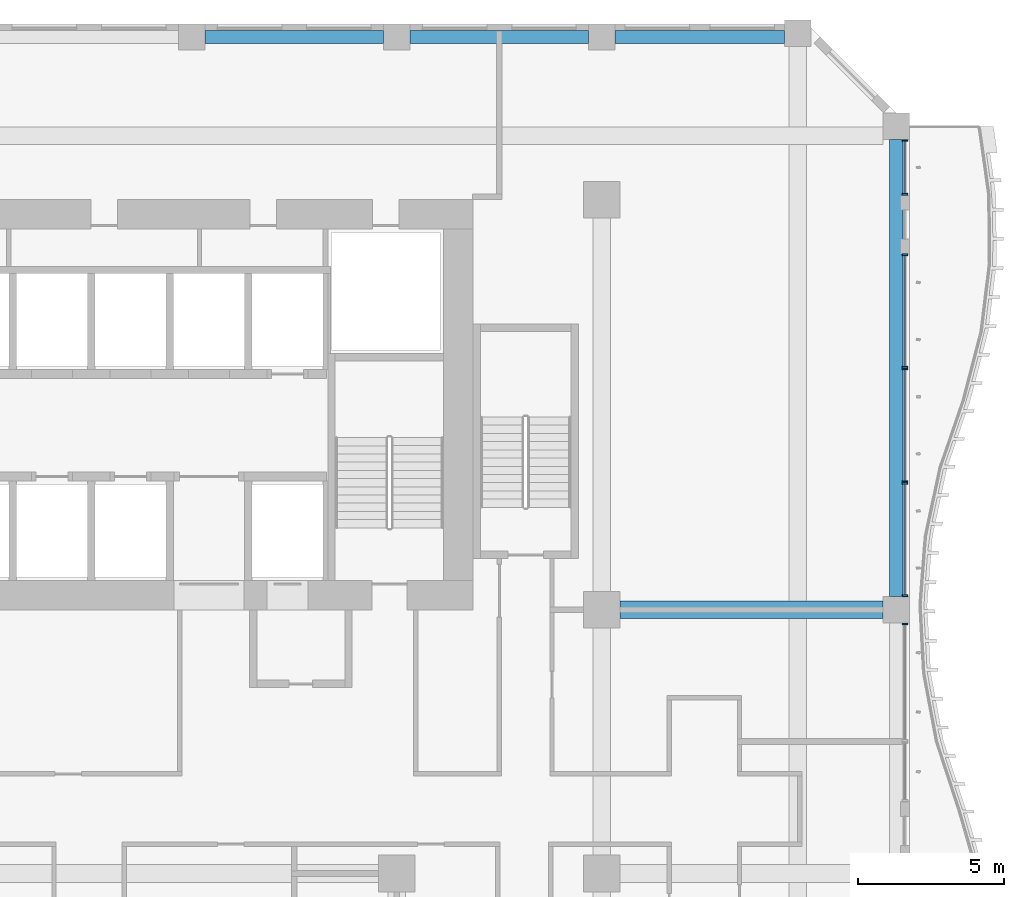
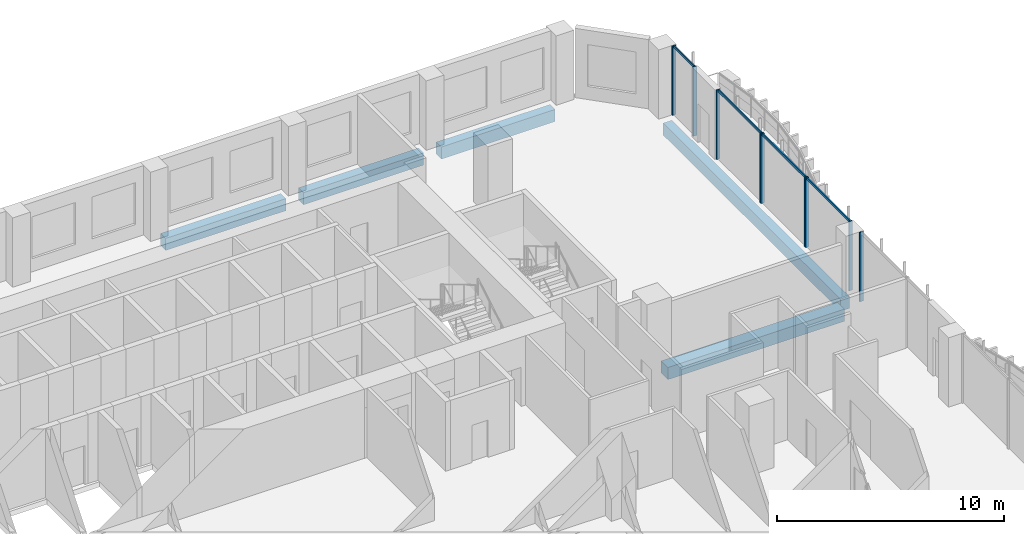
# One storey, part 10 of 28: 13 members, 5 beams, 5 elements without a shape of their own.
"""IFC4 building model written with IfcOpenShell, lengths in metres."""

from ifc_helpers import new_model, si_unit, direction, frame, origin, origin_2d, place, context, subcontext, project, spatial, rectangle, extrude, source, transform, mapped, material, material_profile, profile_set, type_object, element, aggregate, save


model = new_model("IFC4")

# Units and contexts
model_context = context("Model", 3, precision=1e-05, world=origin(), true_north=direction((0.0, 1.0)))
body_context = subcontext(model_context, "Body", "Model", "MODEL_VIEW")
ifc_project = project(units=[si_unit("LENGTHUNIT", "METRE"), si_unit("AREAUNIT", "SQUARE_METRE"), si_unit("VOLUMEUNIT", "CUBIC_METRE"), si_unit("PLANEANGLEUNIT", "RADIAN"), si_unit("MASSUNIT", "GRAM", prefix="KILO")], contexts=[model_context])

# Site, building, storey
site_placement = place(None, origin())
site = spatial("IfcSite", under=ifc_project, at=site_placement, CompositionType="ELEMENT")
building_placement = place(site_placement, origin())
building = spatial("IfcBuilding", under=site, at=building_placement, Name="Kilnfold Tower and Market Hall", CompositionType="ELEMENT")
storey_placement = place(building_placement, frame((0.0, 0.0, 87.199951171875)))
storey = spatial("IfcBuildingStorey", under=building, at=storey_placement, Name="L20", CompositionType="ELEMENT", Elevation=87.199951171875)

# Beams
ifc_material_1 = material(Name="Concrete C45", Category="concrete")
ifc_material_profile_1 = material_profile(ifc_material_1, rectangle(XDim=0.449951171875, YDim=0.64990234375, at=origin_2d()), Name="RC 450x650")
ifc_profile_set_1 = profile_set([ifc_material_profile_1], Name="Concrete C45")
beam_type_1 = type_object("IfcBeamType", Name="EDGE BEAM 450X650 C45", PredefinedType="BEAM", material=ifc_profile_set_1)
shared_shape_1 = source(origin(), body_context, "Body", "SweptSolid", [
    extrude(rectangle(XDim=0.449951171875, YDim=0.64990234375, at=origin_2d()), origin(), (0.0, 0.0, 1.0), 6.10009765625),
])
for number, where, z_axis, x_axis, name in (
    (1, (8.949951171875, 27.550048828125, -0.60498046875), (1.0, 0.0, 0.0), (0.0, 1.0, 0.0), "Beam EB650-B2.79"),
    (2, (15.949951171875, 27.550048828125, -0.60498046875), (1.0, 0.0, 0.0), (0.0, 1.0, 0.0), "Beam EB650-B2.80"),
):
    element("IfcBeam", number, at=place(storey_placement, frame(where, z_axis=z_axis, x_axis=x_axis)), inside=storey, type_object=beam_type_1, Name=name, PredefinedType="BEAM", context=body_context, shape_type="MappedRepresentation", body=[
        mapped(shared_shape_1, transform((0.0, 0.0, 0.0))),
    ])
shared_shape_2 = source(origin(), body_context, "Body", "SweptSolid", [
    extrude(rectangle(XDim=0.449951171875, YDim=0.64990234375, at=origin_2d()), origin(), (0.0, 0.0, 1.0), 5.78173828125),
])
beam_1_placement = place(storey_placement, frame((22.949951171875, 27.550048828125, -0.60498046875), z_axis=(1.0, 0.0, 0.0), x_axis=(0.0, 1.0, 0.0)))
element("IfcBeam", 3, at=beam_1_placement, inside=storey, type_object=beam_type_1, Name="Beam EB650-B2.81", PredefinedType="BEAM", context=body_context, shape_type="MappedRepresentation", body=[
    mapped(shared_shape_2, transform((0.0, 0.0, 0.0))),
])
shared_shape_3 = source(origin(), body_context, "Body", "SweptSolid", [
    extrude(rectangle(XDim=0.449951171875, YDim=0.64990234375, at=origin_2d()), origin(), (0.0, 0.0, 1.0), 15.60009765625),
])
beam_2_placement = place(storey_placement, frame((32.550048828125, 8.449951171875, -0.60498046875), z_axis=(0.0, 1.0, 0.0), x_axis=(-1.0, 0.0, 0.0)))
element("IfcBeam", 4, at=beam_2_placement, inside=storey, type_object=beam_type_1, Name="Beam EB650-B2.103", PredefinedType="BEAM", context=body_context, shape_type="MappedRepresentation", body=[
    mapped(shared_shape_3, transform((0.0, 0.0, 0.0))),
])
ifc_material_2 = material(Name="Concrete C45", Category="concrete")
ifc_material_profile_2 = material_profile(ifc_material_2, rectangle(XDim=0.60009765625, YDim=0.64990234375, at=origin_2d()), Name="RC 600x650")
ifc_profile_set_2 = profile_set([ifc_material_profile_2], Name="Concrete C45")
beam_type_2 = type_object("IfcBeamType", Name="BEAM 600X650 C45", PredefinedType="BEAM", material=ifc_profile_set_2)
shared_shape_4 = source(origin(), body_context, "Body", "SweptSolid", [
    extrude(rectangle(XDim=0.60009765625, YDim=0.64990234375, at=origin_2d()), origin(), (0.0, 0.0, 1.0), 8.97509765625),
])
beam_3_placement = place(storey_placement, frame((23.125, 8.0, -0.60498046875), z_axis=(1.0, 0.0, 0.0), x_axis=(0.0, 1.0, 0.0)))
element("IfcBeam", 5, at=beam_3_placement, inside=storey, type_object=beam_type_2, Name="Beam BB650-B2.73", PredefinedType="BEAM", context=body_context, shape_type="MappedRepresentation", body=[
    mapped(shared_shape_4, transform((0.0, 0.0, 0.0))),
])

# Curtain wall, member
ifc_material_3 = material(Name="Aluminium and double glazing", Category="aluminium")
curtain_wall_type = type_object("IfcCurtainWallType", Name="CW OF1 VALLEY GLAZING", PredefinedType="NOTDEFINED", material=ifc_material_3)
curtain_wall_1_placement = place(storey_placement, origin())
curtain_wall_1 = element("IfcCurtainWall", 6, at=curtain_wall_1_placement, inside=storey, type_object=curtain_wall_type, Name="Curtain wall CW1 L20 E", PredefinedType="NOTDEFINED")
ifc_material_4 = material(Name="Aluminium", Category="aluminium")
ifc_material_profile_3 = material_profile(ifc_material_4, rectangle(XDim=0.06005859375, YDim=0.179931640625, at=origin_2d()), Name="MULLION 60x180")
ifc_profile_set_3 = profile_set([ifc_material_profile_3], Name="Aluminium")
member_type_1 = type_object("IfcMemberType", Name="MULLION 60X180", PredefinedType="MULLION", material=ifc_profile_set_3)
shared_shape_5 = source(origin(), body_context, "Body", "SweptSolid", [
    extrude(rectangle(XDim=0.06005859375, YDim=0.179931640625, at=origin_2d()), origin(), (0.0, 0.0, 1.0), 3.719970703125),
])
member_1_placement = place(storey_placement, frame((32.85009765625, 7.52001953125, 0.0), z_axis=(0.0, 0.0, 1.0), x_axis=(0.0, 1.0, 0.0)))
member_1 = element("IfcMember", 7, at=member_1_placement, type_object=member_type_1, Name="CW1 mullion 2", PredefinedType="MULLION", context=body_context, shape_type="MappedRepresentation", body=[
    mapped(shared_shape_5, transform((0.0, 0.0, 0.0))),
])
aggregate(curtain_wall_1, [member_1])

# Curtain wall, members
curtain_wall_2_placement = place(storey_placement, origin())
curtain_wall_2 = element("IfcCurtainWall", 8, at=curtain_wall_2_placement, inside=storey, type_object=curtain_wall_type, Name="Curtain wall CW1 L20 E", PredefinedType="NOTDEFINED")
member_2_placement = place(storey_placement, frame((32.85009765625, 8.47998046875, 0.0), z_axis=(0.0, 0.0, 1.0), x_axis=(0.0, 1.0, 0.0)))
member_2 = element("IfcMember", 9, at=member_2_placement, type_object=member_type_1, Name="CW1 mullion 1", PredefinedType="MULLION", context=body_context, shape_type="MappedRepresentation", body=[
    mapped(shared_shape_5, transform((0.0, 0.0, 0.0))),
])
member_3_placement = place(storey_placement, frame((32.85009765625, 12.320068359375, 0.0), z_axis=(0.0, 0.0, 1.0), x_axis=(0.0, 1.0, 0.0)))
member_3 = element("IfcMember", 10, at=member_3_placement, type_object=member_type_1, Name="CW1 mullion 2", PredefinedType="MULLION", context=body_context, shape_type="MappedRepresentation", body=[
    mapped(shared_shape_5, transform((0.0, 0.0, 0.0))),
])

curtain_wall_3_placement = place(storey_placement, origin())
curtain_wall_3 = element("IfcCurtainWall", 11, at=curtain_wall_3_placement, inside=storey, type_object=curtain_wall_type, Name="Curtain wall CW1 L20 E", PredefinedType="NOTDEFINED")
member_4_placement = place(storey_placement, frame((32.85009765625, 12.3798828125, 0.0), z_axis=(0.0, 0.0, 1.0), x_axis=(0.0, 1.0, 0.0)))
member_4 = element("IfcMember", 12, at=member_4_placement, type_object=member_type_1, Name="CW1 mullion 1", PredefinedType="MULLION", context=body_context, shape_type="MappedRepresentation", body=[
    mapped(shared_shape_5, transform((0.0, 0.0, 0.0))),
])
member_5_placement = place(storey_placement, frame((32.85009765625, 16.219970703125, 0.0), z_axis=(0.0, 0.0, 1.0), x_axis=(0.0, 1.0, 0.0)))
member_5 = element("IfcMember", 13, at=member_5_placement, type_object=member_type_1, Name="CW1 mullion 2", PredefinedType="MULLION", context=body_context, shape_type="MappedRepresentation", body=[
    mapped(shared_shape_5, transform((0.0, 0.0, 0.0))),
])

curtain_wall_4_placement = place(storey_placement, origin())
curtain_wall_4 = element("IfcCurtainWall", 14, at=curtain_wall_4_placement, inside=storey, type_object=curtain_wall_type, Name="Curtain wall CW1 L20 E", PredefinedType="NOTDEFINED")
member_6_placement = place(storey_placement, frame((32.85009765625, 16.280029296875, 0.0), z_axis=(0.0, 0.0, 1.0), x_axis=(0.0, 1.0, 0.0)))
member_6 = element("IfcMember", 15, at=member_6_placement, type_object=member_type_1, Name="CW1 mullion 1", PredefinedType="MULLION", context=body_context, shape_type="MappedRepresentation", body=[
    mapped(shared_shape_5, transform((0.0, 0.0, 0.0))),
])
member_7_placement = place(storey_placement, frame((32.85009765625, 20.1201171875, 0.0), z_axis=(0.0, 0.0, 1.0), x_axis=(0.0, 1.0, 0.0)))
member_7 = element("IfcMember", 16, at=member_7_placement, type_object=member_type_1, Name="CW1 mullion 2", PredefinedType="MULLION", context=body_context, shape_type="MappedRepresentation", body=[
    mapped(shared_shape_5, transform((0.0, 0.0, 0.0))),
])

curtain_wall_5_placement = place(storey_placement, origin())
curtain_wall_5 = element("IfcCurtainWall", 17, at=curtain_wall_5_placement, inside=storey, type_object=curtain_wall_type, Name="Curtain wall CW1 L20 E", PredefinedType="NOTDEFINED")
member_8_placement = place(storey_placement, frame((32.85009765625, 22.179931640625, 0.0), z_axis=(0.0, 0.0, 1.0), x_axis=(0.0, 1.0, 0.0)))
member_8 = element("IfcMember", 18, at=member_8_placement, type_object=member_type_1, Name="CW1 mullion 1", PredefinedType="MULLION", context=body_context, shape_type="MappedRepresentation", body=[
    mapped(shared_shape_5, transform((0.0, 0.0, 0.0))),
])
member_9_placement = place(storey_placement, frame((32.85009765625, 24.02001953125, 0.0), z_axis=(0.0, 0.0, 1.0), x_axis=(0.0, 1.0, 0.0)))
member_9 = element("IfcMember", 19, at=member_9_placement, type_object=member_type_1, Name="CW1 mullion 2", PredefinedType="MULLION", context=body_context, shape_type="MappedRepresentation", body=[
    mapped(shared_shape_5, transform((0.0, 0.0, 0.0))),
])

# Member
ifc_material_5 = material(Name="Aluminium", Category="aluminium")
ifc_material_profile_4 = material_profile(ifc_material_5, rectangle(XDim=0.06005859375, YDim=0.139892578125, at=origin_2d()), Name="TRANSOM 60x140")
ifc_profile_set_4 = profile_set([ifc_material_profile_4], Name="Aluminium")
member_type_2 = type_object("IfcMemberType", Name="TRANSOM 60X140", PredefinedType="USERDEFINED", material=ifc_profile_set_4)
shared_shape_6 = source(origin(), body_context, "Body", "SweptSolid", [
    extrude(rectangle(XDim=0.06005859375, YDim=0.139892578125, at=origin_2d()), origin(), (0.0, 0.0, 1.0), 3.780029296875),
])
member_10_placement = place(storey_placement, frame((32.85009765625, 8.510009765625, 3.68994140625), z_axis=(0.0, 1.0, 0.0), x_axis=(-1.0, 0.0, 0.0)))
member_10 = element("IfcMember", 20, at=member_10_placement, type_object=member_type_2, Name="CW1 transom 1.2", ObjectType="TRANSOM", PredefinedType="USERDEFINED", context=body_context, shape_type="MappedRepresentation", body=[
    mapped(shared_shape_6, transform((0.0, 0.0, 0.0))),
])

aggregate(curtain_wall_2, [member_2, member_3, member_10])

member_11_placement = place(storey_placement, frame((32.85009765625, 12.409912109375, 3.68994140625), z_axis=(0.0, 1.0, 0.0), x_axis=(-1.0, 0.0, 0.0)))
member_11 = element("IfcMember", 21, at=member_11_placement, type_object=member_type_2, Name="CW1 transom 1.2", ObjectType="TRANSOM", PredefinedType="USERDEFINED", context=body_context, shape_type="MappedRepresentation", body=[
    mapped(shared_shape_6, transform((0.0, 0.0, 0.0))),
])

aggregate(curtain_wall_3, [member_4, member_5, member_11])

member_12_placement = place(storey_placement, frame((32.85009765625, 16.31005859375, 3.68994140625), z_axis=(0.0, 1.0, 0.0), x_axis=(-1.0, 0.0, 0.0)))
member_12 = element("IfcMember", 22, at=member_12_placement, type_object=member_type_2, Name="CW1 transom 1.2", ObjectType="TRANSOM", PredefinedType="USERDEFINED", context=body_context, shape_type="MappedRepresentation", body=[
    mapped(shared_shape_6, transform((0.0, 0.0, 0.0))),
])

aggregate(curtain_wall_4, [member_6, member_7, member_12])

shared_shape_7 = source(origin(), body_context, "Body", "SweptSolid", [
    extrude(rectangle(XDim=0.06005859375, YDim=0.139892578125, at=origin_2d()), origin(), (0.0, 0.0, 1.0), 1.780029296875),
])
member_13_placement = place(storey_placement, frame((32.85009765625, 22.2099609375, 3.68994140625), z_axis=(0.0, 1.0, 0.0), x_axis=(-1.0, 0.0, 0.0)))
member_13 = element("IfcMember", 23, at=member_13_placement, type_object=member_type_2, Name="CW1 transom 1.2", ObjectType="TRANSOM", PredefinedType="USERDEFINED", context=body_context, shape_type="MappedRepresentation", body=[
    mapped(shared_shape_7, transform((0.0, 0.0, 0.0))),
])

aggregate(curtain_wall_5, [member_8, member_9, member_13])

save(model, "model.ifc")
